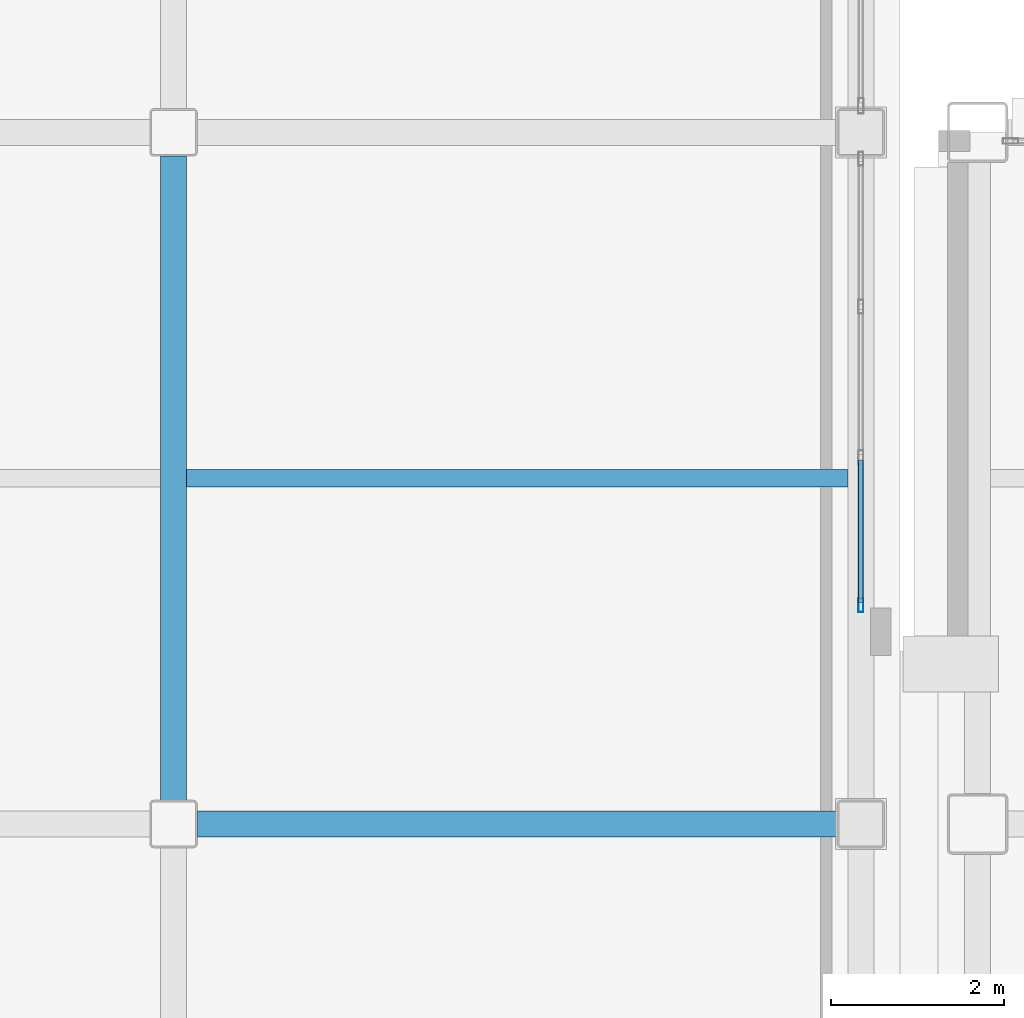
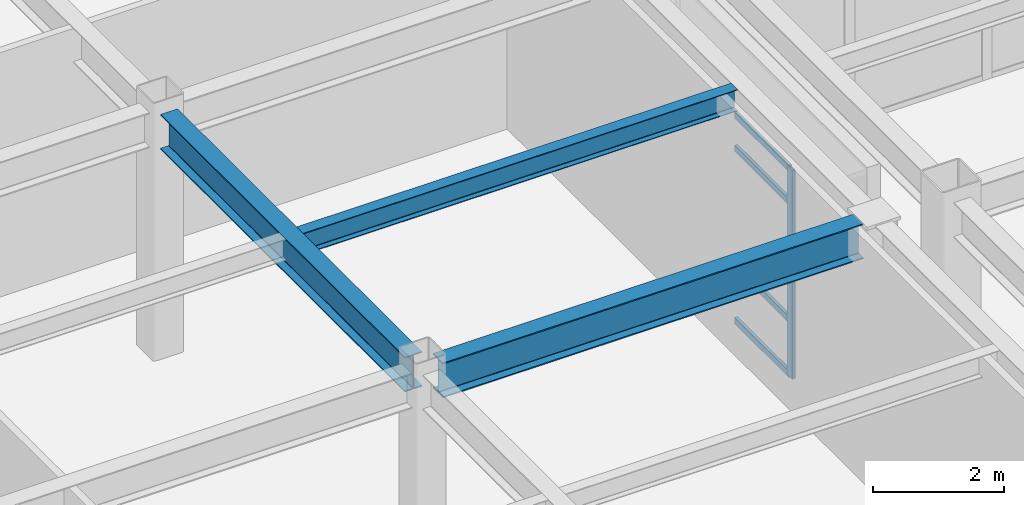
# One storey, part 45 of 154: 5 members, 3 beams, 1 element without a shape of its own.
"""IFC4 building model written with IfcOpenShell, lengths in metres."""

from ifc_helpers import new_model, si_unit, direction, frame, origin, origin_2d, place, context, subcontext, project, spatial, hollow_rectangle, i_section, extrude, material, layer, layer_set, material_profile, profile_set, type_object, element, aggregate, save


model = new_model("IFC4")

# Units and contexts
model_context = context("Model", 3, precision=1e-05, world=origin(), true_north=direction((0.0, 1.0)))
body_context = subcontext(model_context, "Body", "Model", "MODEL_VIEW")
ifc_project = project(units=[si_unit("LENGTHUNIT", "METRE"), si_unit("AREAUNIT", "SQUARE_METRE"), si_unit("VOLUMEUNIT", "CUBIC_METRE"), si_unit("PLANEANGLEUNIT", "RADIAN"), si_unit("MASSUNIT", "GRAM", prefix="KILO")], contexts=[model_context])

# Site, building, storey
site_placement = place(None, origin())
site = spatial("IfcSite", under=ifc_project, at=site_placement, CompositionType="ELEMENT")
building_placement = place(site_placement, origin())
building = spatial("IfcBuilding", under=site, at=building_placement, Name="Kazehara Bluff Congress Hotel", CompositionType="ELEMENT")
storey_placement = place(building_placement, frame((0.0, 0.0, 10.199951171875)))
storey = spatial("IfcBuildingStorey", under=building, at=storey_placement, Name="L02", CompositionType="ELEMENT", Elevation=10.199951171875)

# Curtain wall, members
ifc_material_1 = material(Name="Anodised aluminium", Category="aluminium")
ifc_layer = layer(ifc_material_1, 0.159912109375)
ifc_layer_set = layer_set([ifc_layer], Name="Anodised aluminium")
curtain_wall_type = type_object("IfcCurtainWallType", Name="TP-CW-57", PredefinedType="NOTDEFINED", material=ifc_layer_set)
curtain_wall_placement = place(storey_placement, origin())
curtain_wall = element("IfcCurtainWall", 1, at=curtain_wall_placement, inside=storey, type_object=curtain_wall_type, Name="L02 curtain wall CW-57 CW-V4-L02-X10920-2650", PredefinedType="NOTDEFINED")
ifc_material_2 = material(Name="Anodised aluminium", Category="aluminium")
ifc_material_profile_1 = material_profile(ifc_material_2, hollow_rectangle(XDim=0.06005859375, YDim=0.159912109375, WallThickness=0.00390625, InnerFilletRadius=0.00390625, OuterFilletRadius=0.008056640625, at=origin_2d()))
ifc_profile_set_1 = profile_set([ifc_material_profile_1], Name="Anodised aluminium")
member_type_1 = type_object("IfcMemberType", Name="TP-CWM-01", PredefinedType="MULLION", material=ifc_profile_set_1)
member_1_placement = place(storey_placement, frame((109.199951171875, 26.530029296875, 0.0), z_axis=(0.0, 0.0, 1.0), x_axis=(-1.0, 0.0, 0.0)))
member_1 = element("IfcMember", 2, at=member_1_placement, type_object=member_type_1, Name="CW-57 mullion 1", PredefinedType="MULLION", context=body_context, shape_type="SweptSolid", body=[
    extrude(hollow_rectangle(XDim=0.06005859375, YDim=0.159912109375, WallThickness=0.00390625, InnerFilletRadius=0.00390625, OuterFilletRadius=0.008056640625, at=origin_2d()), origin(), (0.0, 0.0, 1.0), 3.885009765625),
])
ifc_material_3 = material(Name="Anodised aluminium", Category="aluminium")
ifc_material_profile_2 = material_profile(ifc_material_3, hollow_rectangle(XDim=0.06005859375, YDim=0.1201171875, WallThickness=0.00390625, InnerFilletRadius=0.00390625, OuterFilletRadius=0.008056640625, at=origin_2d()))
ifc_profile_set_2 = profile_set([ifc_material_profile_2], Name="Anodised aluminium")
member_type_2 = type_object("IfcMemberType", Name="TP-CWT-01", PredefinedType="USERDEFINED", material=ifc_profile_set_2)
member_2_placement = place(storey_placement, frame((109.199951171875, 26.56005859375, 0.030029296875), z_axis=(0.0, 1.0, 0.0), x_axis=(-1.0, 0.0, 0.0)))
member_2 = element("IfcMember", 3, at=member_2_placement, type_object=member_type_2, Name="CW-57 transom 1.1", ObjectType="TRANSOM", PredefinedType="USERDEFINED", context=body_context, shape_type="SweptSolid", body=[
    extrude(hollow_rectangle(XDim=0.06005859375, YDim=0.1201171875, WallThickness=0.00390625, InnerFilletRadius=0.00390625, OuterFilletRadius=0.008056640625, at=origin_2d()), origin(), (0.0, 0.0, 1.0), 1.651611328125),
])
member_3_placement = place(storey_placement, frame((109.199951171875, 26.56005859375, 1.050048828125), z_axis=(0.0, 1.0, 0.0), x_axis=(-1.0, 0.0, 0.0)))
member_3 = element("IfcMember", 4, at=member_3_placement, type_object=member_type_2, Name="CW-57 transom 1.2", ObjectType="TRANSOM", PredefinedType="USERDEFINED", context=body_context, shape_type="SweptSolid", body=[
    extrude(hollow_rectangle(XDim=0.06005859375, YDim=0.1201171875, WallThickness=0.00390625, InnerFilletRadius=0.00390625, OuterFilletRadius=0.008056640625, at=origin_2d()), origin(), (0.0, 0.0, 1.0), 1.651611328125),
])
member_4_placement = place(storey_placement, frame((109.199951171875, 26.56005859375, 3.235107421875), z_axis=(0.0, 1.0, 0.0), x_axis=(-1.0, 0.0, 0.0)))
member_4 = element("IfcMember", 5, at=member_4_placement, type_object=member_type_2, Name="CW-57 transom 1.3", ObjectType="TRANSOM", PredefinedType="USERDEFINED", context=body_context, shape_type="SweptSolid", body=[
    extrude(hollow_rectangle(XDim=0.06005859375, YDim=0.1201171875, WallThickness=0.00390625, InnerFilletRadius=0.00390625, OuterFilletRadius=0.008056640625, at=origin_2d()), origin(), (0.0, 0.0, 1.0), 1.651611328125),
])
member_5_placement = place(storey_placement, frame((109.199951171875, 26.56005859375, 3.85498046875), z_axis=(0.0, 1.0, 0.0), x_axis=(-1.0, 0.0, 0.0)))
member_5 = element("IfcMember", 6, at=member_5_placement, type_object=member_type_2, Name="CW-57 transom 1.4", ObjectType="TRANSOM", PredefinedType="USERDEFINED", context=body_context, shape_type="SweptSolid", body=[
    extrude(hollow_rectangle(XDim=0.06005859375, YDim=0.1201171875, WallThickness=0.00390625, InnerFilletRadius=0.00390625, OuterFilletRadius=0.008056640625, at=origin_2d()), origin(), (0.0, 0.0, 1.0), 1.651611328125),
])
aggregate(curtain_wall, [member_1, member_2, member_3, member_4, member_5])

# Beams
ifc_material_4 = material(Name="Steel SN490B", Category="steel")
ifc_material_profile_3 = material_profile(ifc_material_4, i_section(OverallWidth=0.300048828125, OverallDepth=0.64990234375, WebThickness=0.011962890625, FlangeThickness=0.02001953125, FilletRadius=0.012939453125, at=origin_2d()))
ifc_profile_set_3 = profile_set([ifc_material_profile_3], Name="Steel SN490B")
beam_type_1 = type_object("IfcBeamType", Name="TP-G-03", PredefinedType="BEAM", material=ifc_profile_set_3)
beam_1_placement = place(storey_placement, frame((101.25, 24.27490234375, 4.235107421875), z_axis=(0.0, 1.0, 0.0), x_axis=(-1.0, 0.0, 0.0)))
element("IfcBeam", 7, at=beam_1_placement, inside=storey, type_object=beam_type_1, Name="L02 girder G-03 85", PredefinedType="BEAM", context=body_context, shape_type="SweptSolid", body=[
    extrude(i_section(OverallWidth=0.300048828125, OverallDepth=0.64990234375, WebThickness=0.011962890625, FlangeThickness=0.02001953125, FilletRadius=0.012939453125, at=origin_2d()), origin(), (0.0, 0.0, 1.0), 7.4501953125),
])
beam_2_placement = place(storey_placement, frame((101.52490234375, 24.0, 4.235107421875), z_axis=(1.0, 0.0, 0.0), x_axis=(0.0, 1.0, 0.0)))
element("IfcBeam", 8, at=beam_2_placement, inside=storey, type_object=beam_type_1, Name="L02 girder G-03 107", PredefinedType="BEAM", context=body_context, shape_type="SweptSolid", body=[
    extrude(i_section(OverallWidth=0.300048828125, OverallDepth=0.64990234375, WebThickness=0.011962890625, FlangeThickness=0.02001953125, FilletRadius=0.012939453125, at=origin_2d()), origin(), (0.0, 0.0, 1.0), 7.400146484375),
])
ifc_material_5 = material(Name="Steel SN400B", Category="steel")
ifc_material_profile_4 = material_profile(ifc_material_5, i_section(OverallWidth=0.199951171875, OverallDepth=0.39990234375, WebThickness=0.008056640625, FlangeThickness=0.012939453125, FilletRadius=0.012939453125, at=origin_2d()))
ifc_profile_set_4 = profile_set([ifc_material_profile_4], Name="Steel SN400B")
beam_type_2 = type_object("IfcBeamType", Name="TP-J-03", PredefinedType="JOIST", material=ifc_profile_set_4)
beam_3_placement = place(storey_placement, frame((101.39990234375, 28.0, 4.360107421875), z_axis=(1.0, 0.0, 0.0), x_axis=(0.0, 1.0, 0.0)))
element("IfcBeam", 9, at=beam_3_placement, inside=storey, type_object=beam_type_2, Name="L02 secondary joist J-03 23", PredefinedType="JOIST", context=body_context, shape_type="SweptSolid", body=[
    extrude(i_section(OverallWidth=0.199951171875, OverallDepth=0.39990234375, WebThickness=0.008056640625, FlangeThickness=0.012939453125, FilletRadius=0.012939453125, at=origin_2d()), origin(), (0.0, 0.0, 1.0), 7.650146484375),
])

save(model, "model.ifc")
